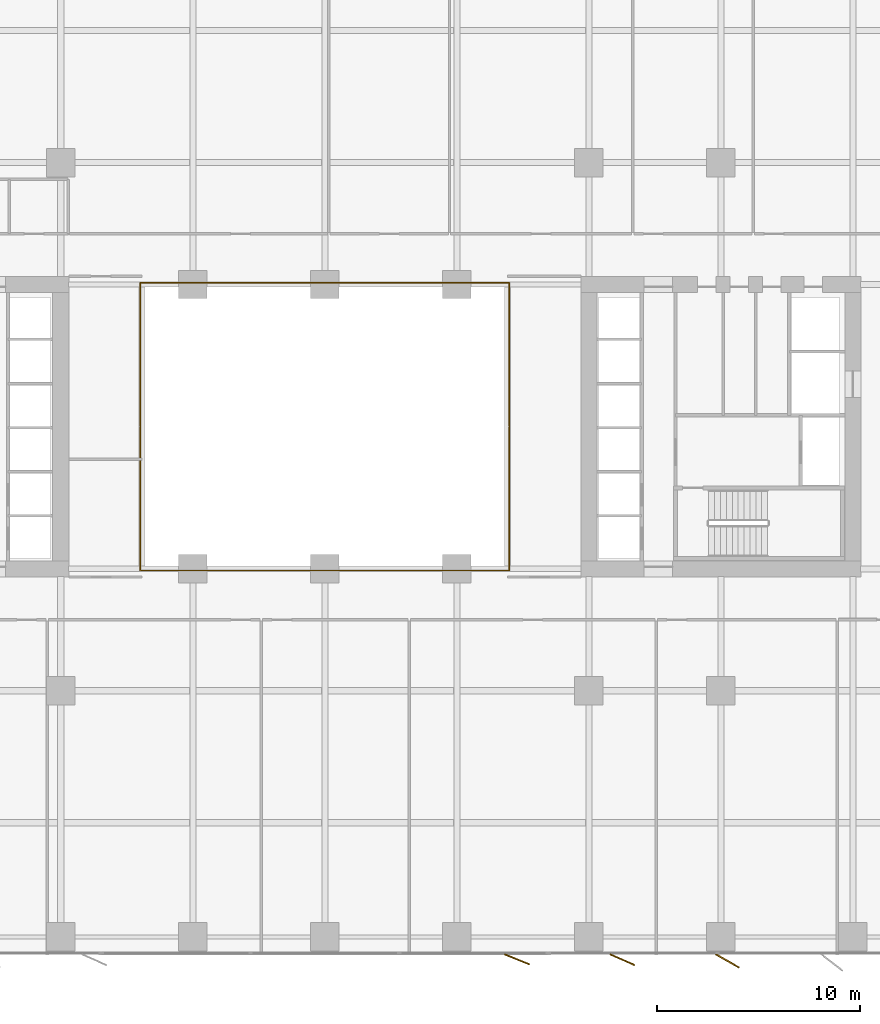
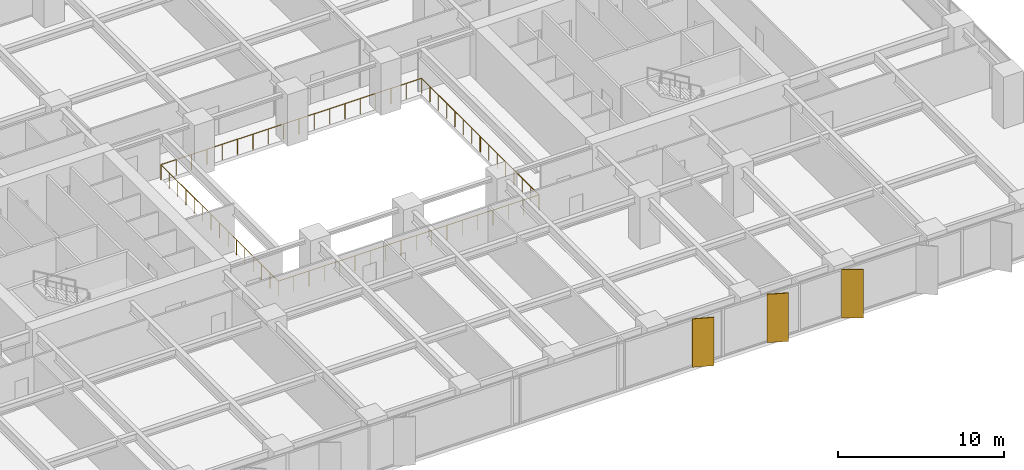
# One storey, part 18 of 20: 3 shading devices, 2 railings.
"""IFC4 building model written with IfcOpenShell, lengths in metres."""

from ifc_helpers import new_model, si_unit, direction, frame, origin, origin_2d, place, context, subcontext, project, spatial, rectangle, circle, extrude, material, layer, layer_set, type_object, element, save


model = new_model("IFC4")

# Units and contexts
model_context = context("Model", 3, precision=1e-05, world=origin(), true_north=direction((0.0, 1.0)))
body_context = subcontext(model_context, "Body", "Model", "MODEL_VIEW")
ifc_project = project(units=[si_unit("LENGTHUNIT", "METRE"), si_unit("AREAUNIT", "SQUARE_METRE"), si_unit("VOLUMEUNIT", "CUBIC_METRE"), si_unit("PLANEANGLEUNIT", "RADIAN"), si_unit("MASSUNIT", "GRAM", prefix="KILO")], contexts=[model_context])

# Site, building, storey
site_placement = place(None, origin())
site = spatial("IfcSite", under=ifc_project, at=site_placement, CompositionType="ELEMENT")
building_placement = place(site_placement, origin())
building = spatial("IfcBuilding", under=site, at=building_placement, Name="Putna Gate Headquarters", CompositionType="ELEMENT")
storey_placement = place(building_placement, frame((0.0, 0.0, 77.199951171875)))
storey = spatial("IfcBuildingStorey", under=building, at=storey_placement, Name="L18", CompositionType="ELEMENT", Elevation=77.199951171875)

# Railings
ifc_material_1 = material(Name="Anodised bronze and laminated glass atrium balustrade", Category="glass")
railing_type = type_object("IfcRailingType", Name="RAIL-ATRIUM-GUARD-1150", PredefinedType="GUARDRAIL", material=ifc_material_1)
railing_1_placement = place(storey_placement, frame((29.919921875, 25.969970703125, 0.0)))
element("IfcRailing", 1, at=railing_1_placement, inside=storey, type_object=railing_type, Name="L18 Central Atrium Glazed Balustrade South", PredefinedType="GUARDRAIL", context=body_context, shape_type="SweptSolid", body=[
    extrude(circle(Radius=0.02392578125, at=origin_2d()), frame((0.0, 0.0, 1.1259765625), z_axis=(0.0, -1.0, 0.0), x_axis=(1.0, 0.0, 0.0)), (0.0, 0.0, 1.0), 7.050048828125),
    extrude(circle(Radius=0.02392578125, at=origin_2d()), frame((0.0, -7.050048828125, 1.1259765625), z_axis=(1.0, 0.0, 0.0), x_axis=(0.0, 1.0, 0.0)), (0.0, 0.0, 1.0), 18.16015625),
    extrude(circle(Radius=0.02392578125, at=origin_2d()), frame((18.16015625, -7.050048828125, 1.1259765625), z_axis=(0.0, 1.0, 0.0), x_axis=(-1.0, 0.0, 0.0)), (0.0, 0.0, 1.0), 7.050048828125),
    extrude(circle(Radius=0.02099609375, at=origin_2d()), origin(), (0.0, 0.0, 1.0), 1.101806640625),
    extrude(circle(Radius=0.02099609375, at=origin_2d()), frame((0.0, -1.007080078125, 0.0)), (0.0, 0.0, 1.0), 1.101806640625),
    extrude(circle(Radius=0.02099609375, at=origin_2d()), frame((0.0, -2.014404296875, 0.0)), (0.0, 0.0, 1.0), 1.101806640625),
    extrude(circle(Radius=0.02099609375, at=origin_2d()), frame((0.0, -3.021484375, 0.0)), (0.0, 0.0, 1.0), 1.101806640625),
    extrude(circle(Radius=0.02099609375, at=origin_2d()), frame((0.0, -4.028564453125, 0.0)), (0.0, 0.0, 1.0), 1.101806640625),
    extrude(circle(Radius=0.02099609375, at=origin_2d()), frame((0.0, -5.03564453125, 0.0)), (0.0, 0.0, 1.0), 1.101806640625),
    extrude(circle(Radius=0.02099609375, at=origin_2d()), frame((0.0, -6.04296875, 0.0)), (0.0, 0.0, 1.0), 1.101806640625),
    extrude(circle(Radius=0.02099609375, at=origin_2d()), frame((0.0, -7.050048828125, 0.0)), (0.0, 0.0, 1.0), 1.101806640625),
    extrude(circle(Radius=0.02099609375, at=origin_2d()), frame((1.068359375, -7.050048828125, 0.0)), (0.0, 0.0, 1.0), 1.101806640625),
    extrude(circle(Radius=0.02099609375, at=origin_2d()), frame((2.136474609375, -7.050048828125, 0.0)), (0.0, 0.0, 1.0), 1.101806640625),
    extrude(circle(Radius=0.02099609375, at=origin_2d()), frame((3.204833984375, -7.050048828125, 0.0)), (0.0, 0.0, 1.0), 1.101806640625),
    extrude(circle(Radius=0.02099609375, at=origin_2d()), frame((4.27294921875, -7.050048828125, 0.0)), (0.0, 0.0, 1.0), 1.101806640625),
    extrude(circle(Radius=0.02099609375, at=origin_2d()), frame((5.34130859375, -7.050048828125, 0.0)), (0.0, 0.0, 1.0), 1.101806640625),
    extrude(circle(Radius=0.02099609375, at=origin_2d()), frame((6.409423828125, -7.050048828125, 0.0)), (0.0, 0.0, 1.0), 1.101806640625),
    extrude(circle(Radius=0.02099609375, at=origin_2d()), frame((7.477783203125, -7.050048828125, 0.0)), (0.0, 0.0, 1.0), 1.101806640625),
    extrude(circle(Radius=0.02099609375, at=origin_2d()), frame((8.5458984375, -7.050048828125, 0.0)), (0.0, 0.0, 1.0), 1.101806640625),
    extrude(circle(Radius=0.02099609375, at=origin_2d()), frame((9.6142578125, -7.050048828125, 0.0)), (0.0, 0.0, 1.0), 1.101806640625),
    extrude(circle(Radius=0.02099609375, at=origin_2d()), frame((10.682373046875, -7.050048828125, 0.0)), (0.0, 0.0, 1.0), 1.101806640625),
    extrude(circle(Radius=0.02099609375, at=origin_2d()), frame((11.750732421875, -7.050048828125, 0.0)), (0.0, 0.0, 1.0), 1.101806640625),
    extrude(circle(Radius=0.02099609375, at=origin_2d()), frame((12.81884765625, -7.050048828125, 0.0)), (0.0, 0.0, 1.0), 1.101806640625),
    extrude(circle(Radius=0.02099609375, at=origin_2d()), frame((13.88720703125, -7.050048828125, 0.0)), (0.0, 0.0, 1.0), 1.101806640625),
    extrude(circle(Radius=0.02099609375, at=origin_2d()), frame((14.955322265625, -7.050048828125, 0.0)), (0.0, 0.0, 1.0), 1.101806640625),
    extrude(circle(Radius=0.02099609375, at=origin_2d()), frame((16.023681640625, -7.050048828125, 0.0)), (0.0, 0.0, 1.0), 1.101806640625),
    extrude(circle(Radius=0.02099609375, at=origin_2d()), frame((17.091796875, -7.050048828125, 0.0)), (0.0, 0.0, 1.0), 1.101806640625),
    extrude(circle(Radius=0.02099609375, at=origin_2d()), frame((18.16015625, -7.050048828125, 0.0)), (0.0, 0.0, 1.0), 1.101806640625),
    extrude(circle(Radius=0.02099609375, at=origin_2d()), frame((18.16015625, -6.04296875, 0.0)), (0.0, 0.0, 1.0), 1.101806640625),
    extrude(circle(Radius=0.02099609375, at=origin_2d()), frame((18.16015625, -5.03564453125, 0.0)), (0.0, 0.0, 1.0), 1.101806640625),
    extrude(circle(Radius=0.02099609375, at=origin_2d()), frame((18.16015625, -4.028564453125, 0.0)), (0.0, 0.0, 1.0), 1.101806640625),
    extrude(circle(Radius=0.02099609375, at=origin_2d()), frame((18.16015625, -3.021484375, 0.0)), (0.0, 0.0, 1.0), 1.101806640625),
    extrude(circle(Radius=0.02099609375, at=origin_2d()), frame((18.16015625, -2.014404296875, 0.0)), (0.0, 0.0, 1.0), 1.101806640625),
    extrude(circle(Radius=0.02099609375, at=origin_2d()), frame((18.16015625, -1.007080078125, 0.0)), (0.0, 0.0, 1.0), 1.101806640625),
    extrude(circle(Radius=0.02099609375, at=origin_2d()), frame((18.16015625, 0.0, 0.0)), (0.0, 0.0, 1.0), 1.101806640625),
])
railing_2_placement = place(storey_placement, frame((48.080078125, 26.030029296875, 0.0)))
element("IfcRailing", 2, at=railing_2_placement, inside=storey, type_object=railing_type, Name="L18 Central Atrium Glazed Balustrade North", PredefinedType="GUARDRAIL", context=body_context, shape_type="SweptSolid", body=[
    extrude(circle(Radius=0.02392578125, at=origin_2d()), frame((0.0, 0.0, 1.1259765625), z_axis=(0.0, 1.0, 0.0), x_axis=(-1.0, 0.0, 0.0)), (0.0, 0.0, 1.0), 7.050048828125),
    extrude(circle(Radius=0.02392578125, at=origin_2d()), frame((0.0, 7.050048828125, 1.1259765625), z_axis=(-1.0, 0.0, 0.0), x_axis=(0.0, -1.0, 0.0)), (0.0, 0.0, 1.0), 18.16015625),
    extrude(circle(Radius=0.02392578125, at=origin_2d()), frame((-18.16015625, 7.050048828125, 1.1259765625), z_axis=(0.0, -1.0, 0.0), x_axis=(1.0, 0.0, 0.0)), (0.0, 0.0, 1.0), 7.050048828125),
    extrude(circle(Radius=0.02099609375, at=origin_2d()), origin(), (0.0, 0.0, 1.0), 1.101806640625),
    extrude(circle(Radius=0.02099609375, at=origin_2d()), frame((0.0, 1.007080078125, 0.0)), (0.0, 0.0, 1.0), 1.101806640625),
    extrude(circle(Radius=0.02099609375, at=origin_2d()), frame((0.0, 2.014404296875, 0.0)), (0.0, 0.0, 1.0), 1.101806640625),
    extrude(circle(Radius=0.02099609375, at=origin_2d()), frame((0.0, 3.021484375, 0.0)), (0.0, 0.0, 1.0), 1.101806640625),
    extrude(circle(Radius=0.02099609375, at=origin_2d()), frame((0.0, 4.028564453125, 0.0)), (0.0, 0.0, 1.0), 1.101806640625),
    extrude(circle(Radius=0.02099609375, at=origin_2d()), frame((0.0, 5.03564453125, 0.0)), (0.0, 0.0, 1.0), 1.101806640625),
    extrude(circle(Radius=0.02099609375, at=origin_2d()), frame((0.0, 6.04296875, 0.0)), (0.0, 0.0, 1.0), 1.101806640625),
    extrude(circle(Radius=0.02099609375, at=origin_2d()), frame((0.0, 7.050048828125, 0.0)), (0.0, 0.0, 1.0), 1.101806640625),
    extrude(circle(Radius=0.02099609375, at=origin_2d()), frame((-1.068359375, 7.050048828125, 0.0)), (0.0, 0.0, 1.0), 1.101806640625),
    extrude(circle(Radius=0.02099609375, at=origin_2d()), frame((-2.136474609375, 7.050048828125, 0.0)), (0.0, 0.0, 1.0), 1.101806640625),
    extrude(circle(Radius=0.02099609375, at=origin_2d()), frame((-3.204833984375, 7.050048828125, 0.0)), (0.0, 0.0, 1.0), 1.101806640625),
    extrude(circle(Radius=0.02099609375, at=origin_2d()), frame((-4.27294921875, 7.050048828125, 0.0)), (0.0, 0.0, 1.0), 1.101806640625),
    extrude(circle(Radius=0.02099609375, at=origin_2d()), frame((-5.34130859375, 7.050048828125, 0.0)), (0.0, 0.0, 1.0), 1.101806640625),
    extrude(circle(Radius=0.02099609375, at=origin_2d()), frame((-6.409423828125, 7.050048828125, 0.0)), (0.0, 0.0, 1.0), 1.101806640625),
    extrude(circle(Radius=0.02099609375, at=origin_2d()), frame((-7.477783203125, 7.050048828125, 0.0)), (0.0, 0.0, 1.0), 1.101806640625),
    extrude(circle(Radius=0.02099609375, at=origin_2d()), frame((-8.5458984375, 7.050048828125, 0.0)), (0.0, 0.0, 1.0), 1.101806640625),
    extrude(circle(Radius=0.02099609375, at=origin_2d()), frame((-9.6142578125, 7.050048828125, 0.0)), (0.0, 0.0, 1.0), 1.101806640625),
    extrude(circle(Radius=0.02099609375, at=origin_2d()), frame((-10.682373046875, 7.050048828125, 0.0)), (0.0, 0.0, 1.0), 1.101806640625),
    extrude(circle(Radius=0.02099609375, at=origin_2d()), frame((-11.750732421875, 7.050048828125, 0.0)), (0.0, 0.0, 1.0), 1.101806640625),
    extrude(circle(Radius=0.02099609375, at=origin_2d()), frame((-12.81884765625, 7.050048828125, 0.0)), (0.0, 0.0, 1.0), 1.101806640625),
    extrude(circle(Radius=0.02099609375, at=origin_2d()), frame((-13.88720703125, 7.050048828125, 0.0)), (0.0, 0.0, 1.0), 1.101806640625),
    extrude(circle(Radius=0.02099609375, at=origin_2d()), frame((-14.955322265625, 7.050048828125, 0.0)), (0.0, 0.0, 1.0), 1.101806640625),
    extrude(circle(Radius=0.02099609375, at=origin_2d()), frame((-16.023681640625, 7.050048828125, 0.0)), (0.0, 0.0, 1.0), 1.101806640625),
    extrude(circle(Radius=0.02099609375, at=origin_2d()), frame((-17.091796875, 7.050048828125, 0.0)), (0.0, 0.0, 1.0), 1.101806640625),
    extrude(circle(Radius=0.02099609375, at=origin_2d()), frame((-18.16015625, 7.050048828125, 0.0)), (0.0, 0.0, 1.0), 1.101806640625),
    extrude(circle(Radius=0.02099609375, at=origin_2d()), frame((-18.16015625, 6.04296875, 0.0)), (0.0, 0.0, 1.0), 1.101806640625),
    extrude(circle(Radius=0.02099609375, at=origin_2d()), frame((-18.16015625, 5.03564453125, 0.0)), (0.0, 0.0, 1.0), 1.101806640625),
    extrude(circle(Radius=0.02099609375, at=origin_2d()), frame((-18.16015625, 4.028564453125, 0.0)), (0.0, 0.0, 1.0), 1.101806640625),
    extrude(circle(Radius=0.02099609375, at=origin_2d()), frame((-18.16015625, 3.021484375, 0.0)), (0.0, 0.0, 1.0), 1.101806640625),
    extrude(circle(Radius=0.02099609375, at=origin_2d()), frame((-18.16015625, 2.014404296875, 0.0)), (0.0, 0.0, 1.0), 1.101806640625),
    extrude(circle(Radius=0.02099609375, at=origin_2d()), frame((-18.16015625, 1.007080078125, 0.0)), (0.0, 0.0, 1.0), 1.101806640625),
    extrude(circle(Radius=0.02099609375, at=origin_2d()), frame((-18.16015625, 0.0, 0.0)), (0.0, 0.0, 1.0), 1.101806640625),
])

# Shading devices
ifc_material_2 = material(Name="Anodised architectural bronze aluminium fin", Category="aluminium")
ifc_layer = layer(ifc_material_2, 0.06494140625)
ifc_layer_set = layer_set([ifc_layer], Name="Anodised architectural bronze aluminium fin")
shading_device_type = type_object("IfcShadingDeviceType", Name="SHADE-BRONZE-FIN-1320", PredefinedType="USERDEFINED", material=ifc_layer_set)
for number, where, z_axis, x_axis, name in (
    (3, (48.4619140625, -0.22216796875, -0.02001953125), (0.0, 0.0, 1.0), (0.927183854567, -0.374606593416, 0.0), "L18 Bronze Vertical Shading Fin S8"),
    (4, (53.653076171875, -0.2431640625, -0.02001953125), (0.0, 0.0, 1.0), (0.913687379856, -0.40641773078, 0.0), "L18 Bronze Vertical Shading Fin S9"),
    (5, (58.82373046875, -0.30126953125, -0.02001953125), (0.0, 0.0, 1.0), (0.869322458298, -0.494245347472, 0.0), "L18 Bronze Vertical Shading Fin S10"),
):
    element("IfcShadingDevice", number, at=place(storey_placement, frame(where, z_axis=z_axis, x_axis=x_axis)), inside=storey, type_object=shading_device_type, Name=name, ObjectType="FIN", PredefinedType="USERDEFINED", context=body_context, shape_type="SweptSolid", body=[
        extrude(rectangle(XDim=1.320068359375, YDim=0.06494140625, at=origin_2d()), origin(), (0.0, 0.0, 1.0), 3.56005859375),
    ])

save(model, "model.ifc")
